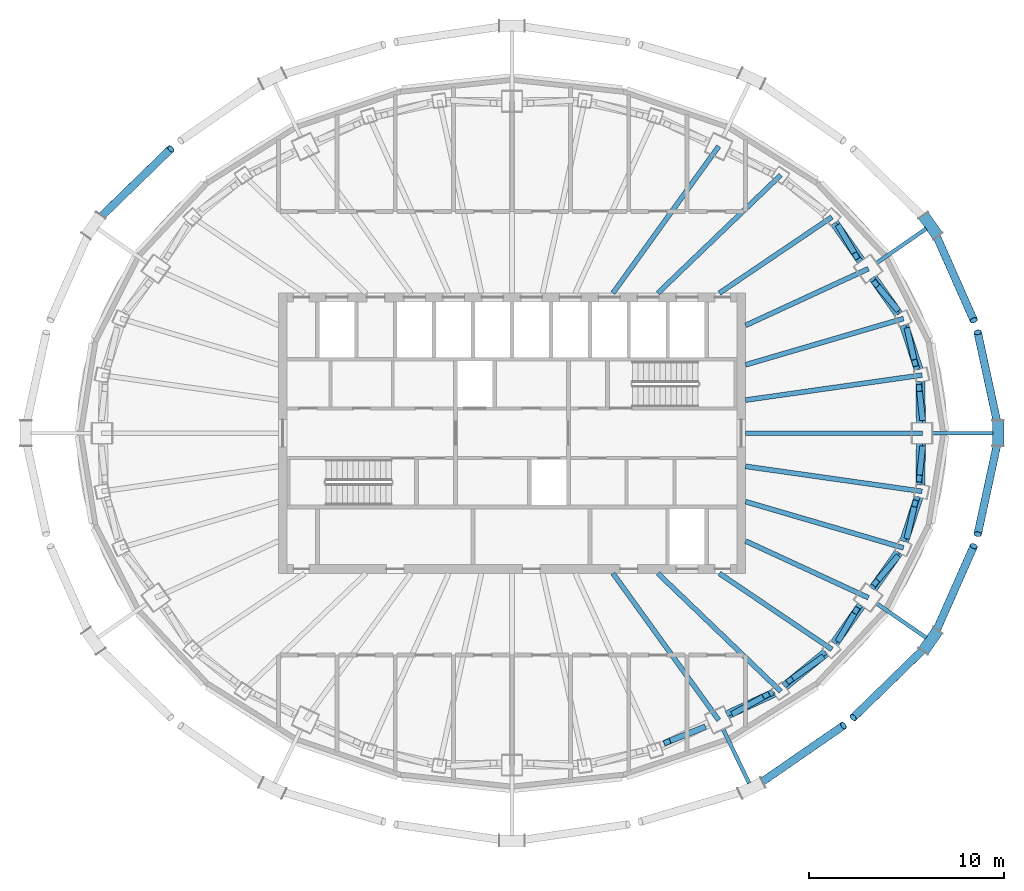
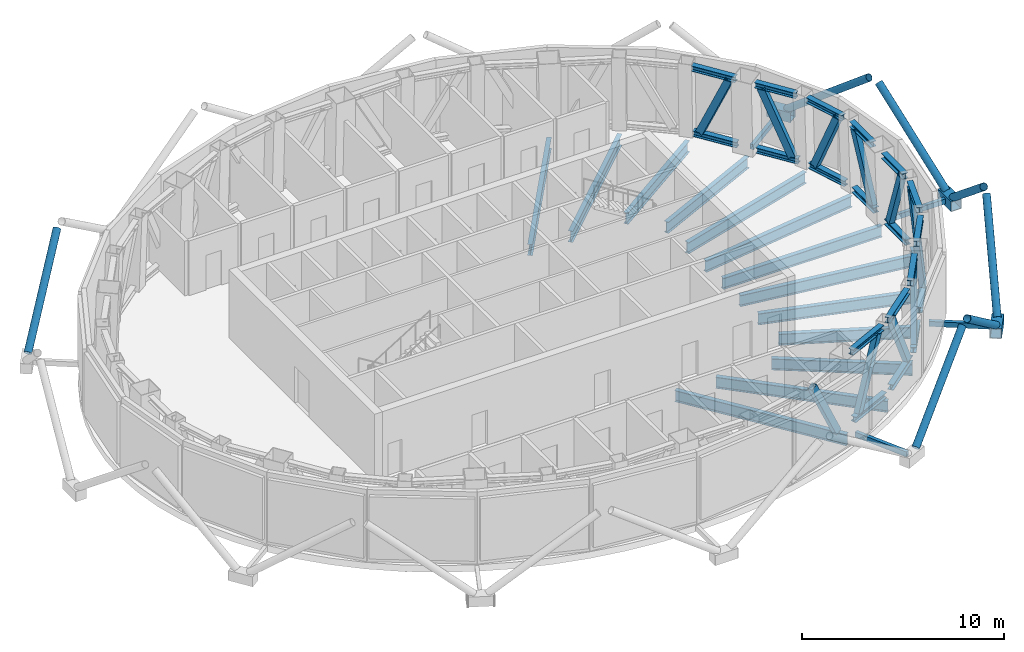
# One storey, part 3 of 15: 33 beams, 25 members.
"""IFC4 building model written with IfcOpenShell, lengths in metres."""

from ifc_helpers import new_model, si_unit, direction, frame, origin, origin_2d, place, context, subcontext, project, spatial, hollow_rectangle, hollow_circle, i_section, extrude, material, material_profile, profile_set, type_object, element, save


model = new_model("IFC4")

# Units and contexts
model_context = context("Model", 3, precision=1e-05, world=origin(), true_north=direction((0.0, 1.0)))
body_context = subcontext(model_context, "Body", "Model", "MODEL_VIEW")
ifc_project = project(units=[si_unit("LENGTHUNIT", "METRE"), si_unit("AREAUNIT", "SQUARE_METRE"), si_unit("VOLUMEUNIT", "CUBIC_METRE"), si_unit("PLANEANGLEUNIT", "RADIAN"), si_unit("MASSUNIT", "GRAM", prefix="KILO")], contexts=[model_context])

# Site, building, storey
site_placement = place(None, origin())
site = spatial("IfcSite", under=ifc_project, at=site_placement, CompositionType="ELEMENT")
building_placement = place(site_placement, origin())
building = spatial("IfcBuilding", under=site, at=building_placement, Name="Siaravel Broadcast Tower", CompositionType="ELEMENT")
storey_placement = place(building_placement, frame((0.0, 0.0, 212.60009765625)))
storey = spatial("IfcBuildingStorey", under=building, at=storey_placement, Name="L51", CompositionType="ELEMENT", Elevation=212.60009765625)

# Beams
ifc_material_1 = material(Name="Steel S355", Category="steel")
ifc_material_profile_1 = material_profile(ifc_material_1, i_section(OverallWidth=0.2529296875, OverallDepth=0.677978515625, WebThickness=0.01171875, FlangeThickness=0.01611328125, FilletRadius=0.01513671875, at=origin_2d()))
ifc_profile_set_1 = profile_set([ifc_material_profile_1], Name="Steel S355")
beam_type_1 = type_object("IfcBeamType", Name="BM-UB 686x254x125", PredefinedType="BEAM", material=ifc_profile_set_1)
beam_1_placement = place(storey_placement, frame((21.083984375, 0.0, -0.739013671875), z_axis=(-1.0, 0.0, 0.0), x_axis=(0.0, -1.0, 0.0)))
element("IfcBeam", 1, at=beam_1_placement, inside=storey, type_object=beam_type_1, Name="Radial beam RB01", PredefinedType="BEAM", context=body_context, shape_type="SweptSolid", body=[
    extrude(i_section(OverallWidth=0.2529296875, OverallDepth=0.677978515625, WebThickness=0.01171875, FlangeThickness=0.01611328125, FilletRadius=0.01513671875, at=origin_2d()), origin(), (0.0, 0.0, 1.0), 9.083984375),
])
beam_2_placement = place(storey_placement, frame((21.06494140625, 2.987060546875, -0.739013671875), z_axis=(-0.990095622, -0.140394653, 0.0), x_axis=(0.140394653, -0.990095622, 0.0)))
element("IfcBeam", 2, at=beam_2_placement, inside=storey, type_object=beam_type_1, Name="Radial beam RB02", PredefinedType="BEAM", context=body_context, shape_type="SweptSolid", body=[
    extrude(i_section(OverallWidth=0.2529296875, OverallDepth=0.677978515625, WebThickness=0.01171875, FlangeThickness=0.01611328125, FilletRadius=0.01513671875, at=origin_2d()), origin(), (0.0, 0.0, 1.0), 9.155517578125),
])
beam_3_placement = place(storey_placement, frame((20.114990234375, 5.89013671875, -0.739013671875), z_axis=(-0.959702278, -0.281018751, 0.0), x_axis=(0.281018751, -0.959702278, 0.0)))
element("IfcBeam", 3, at=beam_3_placement, inside=storey, type_object=beam_type_1, Name="Radial beam RB03", PredefinedType="BEAM", context=body_context, shape_type="SweptSolid", body=[
    extrude(i_section(OverallWidth=0.2529296875, OverallDepth=0.677978515625, WebThickness=0.01171875, FlangeThickness=0.01611328125, FilletRadius=0.01513671875, at=origin_2d()), origin(), (0.0, 0.0, 1.0), 8.455810546875),
])
beam_4_placement = place(storey_placement, frame((18.312744140625, 8.451904296875, -0.739013671875), z_axis=(-0.907959385, -0.419058177, 0.0), x_axis=(0.419058177, -0.907959385, 0.0)))
element("IfcBeam", 4, at=beam_4_placement, inside=storey, type_object=beam_type_1, Name="Radial beam RB04", PredefinedType="BEAM", context=body_context, shape_type="SweptSolid", body=[
    extrude(i_section(OverallWidth=0.2529296875, OverallDepth=0.677978515625, WebThickness=0.01171875, FlangeThickness=0.01611328125, FilletRadius=0.01513671875, at=origin_2d()), origin(), (0.0, 0.0, 1.0), 6.95263671875),
])
beam_5_placement = place(storey_placement, frame((16.43505859375, 11.10791015625, -0.739013671875), z_axis=(-0.828508257, -0.559976847, 0.0), x_axis=(0.559976847, -0.828508257, 0.0)))
element("IfcBeam", 5, at=beam_5_placement, inside=storey, type_object=beam_type_1, Name="Radial beam RB05", PredefinedType="BEAM", context=body_context, shape_type="SweptSolid", body=[
    extrude(i_section(OverallWidth=0.2529296875, OverallDepth=0.677978515625, WebThickness=0.01171875, FlangeThickness=0.01611328125, FilletRadius=0.01513671875, at=origin_2d()), origin(), (0.0, 0.0, 1.0), 6.978759765625),
])
beam_6_placement = place(storey_placement, frame((13.806396484375, 13.2607421875, -0.739013671875), z_axis=(-0.721208302, -0.692718258, 0.0), x_axis=(0.692718258, -0.721208302, 0.0)))
element("IfcBeam", 6, at=beam_6_placement, inside=storey, type_object=beam_type_1, Name="Radial beam RB06", PredefinedType="BEAM", context=body_context, shape_type="SweptSolid", body=[
    extrude(i_section(OverallWidth=0.2529296875, OverallDepth=0.677978515625, WebThickness=0.01171875, FlangeThickness=0.01611328125, FilletRadius=0.01513671875, at=origin_2d()), origin(), (0.0, 0.0, 1.0), 8.749267578125),
])
for number, where, z_axis, x_axis, name in (
    (7, (10.62158203125, 14.7421875, -0.739013671875), (-0.584564836, -0.811346999, 0.0), (0.811346999, -0.584564836, 0.0), "Radial beam RB07"),
    (8, (10.62158203125, -14.7421875, -0.739013671875), (-0.584564836, 0.811346999, 0.0), (-0.811346999, -0.584564836, 0.0), "Radial beam RB31"),
):
    element("IfcBeam", number, at=place(storey_placement, frame(where, z_axis=z_axis, x_axis=x_axis)), inside=storey, type_object=beam_type_1, Name=name, PredefinedType="BEAM", context=body_context, shape_type="SweptSolid", body=[
        extrude(i_section(OverallWidth=0.2529296875, OverallDepth=0.677978515625, WebThickness=0.01171875, FlangeThickness=0.01611328125, FilletRadius=0.01513671875, at=origin_2d()), origin(), (0.0, 0.0, 1.0), 9.2958984375),
    ])
beam_7_placement = place(storey_placement, frame((13.806396484375, -13.2607421875, -0.739013671875), z_axis=(-0.721208302, 0.692718258, 0.0), x_axis=(-0.692718258, -0.721208302, 0.0)))
element("IfcBeam", 9, at=beam_7_placement, inside=storey, type_object=beam_type_1, Name="Radial beam RB32", PredefinedType="BEAM", context=body_context, shape_type="SweptSolid", body=[
    extrude(i_section(OverallWidth=0.2529296875, OverallDepth=0.677978515625, WebThickness=0.01171875, FlangeThickness=0.01611328125, FilletRadius=0.01513671875, at=origin_2d()), origin(), (0.0, 0.0, 1.0), 8.749267578125),
])
beam_8_placement = place(storey_placement, frame((16.43505859375, -11.10791015625, -0.739013671875), z_axis=(-0.828508257, 0.559976847, 0.0), x_axis=(-0.559976847, -0.828508257, 0.0)))
element("IfcBeam", 10, at=beam_8_placement, inside=storey, type_object=beam_type_1, Name="Radial beam RB33", PredefinedType="BEAM", context=body_context, shape_type="SweptSolid", body=[
    extrude(i_section(OverallWidth=0.2529296875, OverallDepth=0.677978515625, WebThickness=0.01171875, FlangeThickness=0.01611328125, FilletRadius=0.01513671875, at=origin_2d()), origin(), (0.0, 0.0, 1.0), 6.978759765625),
])
beam_9_placement = place(storey_placement, frame((18.312744140625, -8.451904296875, -0.739013671875), z_axis=(-0.907959385, 0.419058177, 0.0), x_axis=(-0.419058177, -0.907959385, 0.0)))
element("IfcBeam", 11, at=beam_9_placement, inside=storey, type_object=beam_type_1, Name="Radial beam RB34", PredefinedType="BEAM", context=body_context, shape_type="SweptSolid", body=[
    extrude(i_section(OverallWidth=0.2529296875, OverallDepth=0.677978515625, WebThickness=0.01171875, FlangeThickness=0.01611328125, FilletRadius=0.01513671875, at=origin_2d()), origin(), (0.0, 0.0, 1.0), 6.95263671875),
])
beam_10_placement = place(storey_placement, frame((20.114990234375, -5.89013671875, -0.739013671875), z_axis=(-0.959702278, 0.281018751, 0.0), x_axis=(-0.281018751, -0.959702278, 0.0)))
element("IfcBeam", 12, at=beam_10_placement, inside=storey, type_object=beam_type_1, Name="Radial beam RB35", PredefinedType="BEAM", context=body_context, shape_type="SweptSolid", body=[
    extrude(i_section(OverallWidth=0.2529296875, OverallDepth=0.677978515625, WebThickness=0.01171875, FlangeThickness=0.01611328125, FilletRadius=0.01513671875, at=origin_2d()), origin(), (0.0, 0.0, 1.0), 8.455810546875),
])
beam_11_placement = place(storey_placement, frame((21.06494140625, -2.987060546875, -0.739013671875), z_axis=(-0.990095622, 0.140394653, 0.0), x_axis=(-0.140394653, -0.990095622, 0.0)))
element("IfcBeam", 13, at=beam_11_placement, inside=storey, type_object=beam_type_1, Name="Radial beam RB36", PredefinedType="BEAM", context=body_context, shape_type="SweptSolid", body=[
    extrude(i_section(OverallWidth=0.2529296875, OverallDepth=0.677978515625, WebThickness=0.01171875, FlangeThickness=0.01611328125, FilletRadius=0.01513671875, at=origin_2d()), origin(), (0.0, 0.0, 1.0), 9.155517578125),
])
ifc_material_2 = material(Name="Steel S460", Category="steel")
ifc_material_profile_2 = material_profile(ifc_material_2, i_section(OverallWidth=0.311279296875, OverallDepth=0.3271484375, WebThickness=0.015869140625, FlangeThickness=0.02490234375, FilletRadius=0.01513671875, at=origin_2d()))
ifc_profile_set_2 = profile_set([ifc_material_profile_2], Name="Steel S460")
beam_type_2 = type_object("IfcBeamType", Name="Belt truss chord UC 305x305x158", PredefinedType="BEAM", material=ifc_profile_set_2)
beam_12_placement = place(storey_placement, frame((21.080810546875, 0.52001953125, 0.163330078125), z_axis=(-0.006481556, 0.999978994, 0.0), x_axis=(-0.999978994, -0.006481556, 0.0)))
element("IfcBeam", 14, at=beam_12_placement, inside=storey, type_object=beam_type_2, Name="Belt truss 3 bottom chord 01", PredefinedType="BEAM", context=body_context, shape_type="SweptSolid", body=[
    extrude(i_section(OverallWidth=0.311279296875, OverallDepth=0.3271484375, WebThickness=0.015869140625, FlangeThickness=0.02490234375, FilletRadius=0.01513671875, at=origin_2d()), origin(), (0.0, 0.0, 1.0), 2.14697265625),
])
beam_13_placement = place(storey_placement, frame((20.92529296875, 0.52001953125, 4.1865234375), z_axis=(-0.005629506, 0.999984154, 0.0), x_axis=(-0.999984154, -0.005629506, 0.0)))
element("IfcBeam", 15, at=beam_13_placement, inside=storey, type_object=beam_type_2, Name="Belt truss 3 top chord 01", PredefinedType="BEAM", context=body_context, shape_type="SweptSolid", body=[
    extrude(i_section(OverallWidth=0.311279296875, OverallDepth=0.3271484375, WebThickness=0.015869140625, FlangeThickness=0.02490234375, FilletRadius=0.01513671875, at=origin_2d()), origin(), (0.0, 0.0, 1.0), 2.125),
])
beam_14_placement = place(storey_placement, frame((20.96533203125, 3.291015625, 0.163330078125), z_axis=(-0.310914519, 0.950437879, 0.0), x_axis=(-0.950437879, -0.310914519, 0.0)))
element("IfcBeam", 16, at=beam_14_placement, inside=storey, type_object=beam_type_2, Name="Belt truss 3 bottom chord 02", PredefinedType="BEAM", context=body_context, shape_type="SweptSolid", body=[
    extrude(i_section(OverallWidth=0.311279296875, OverallDepth=0.3271484375, WebThickness=0.015869140625, FlangeThickness=0.02490234375, FilletRadius=0.01513671875, at=origin_2d()), origin(), (0.0, 0.0, 1.0), 2.41455078125),
])
beam_15_placement = place(storey_placement, frame((20.81201171875, 3.26904296875, 4.1865234375), z_axis=(-0.311017268, 0.950404261, 0.0), x_axis=(-0.950404261, -0.311017268, 0.0)))
element("IfcBeam", 17, at=beam_15_placement, inside=storey, type_object=beam_type_2, Name="Belt truss 3 top chord 02", PredefinedType="BEAM", context=body_context, shape_type="SweptSolid", body=[
    extrude(i_section(OverallWidth=0.311279296875, OverallDepth=0.3271484375, WebThickness=0.015869140625, FlangeThickness=0.02490234375, FilletRadius=0.01513671875, at=origin_2d()), origin(), (0.0, 0.0, 1.0), 2.391845703125),
])
beam_16_placement = place(storey_placement, frame((19.930908203125, 6.15185546875, 0.163330078125), z_axis=(-0.575369398, 0.81789367, 0.0), x_axis=(-0.81789367, -0.575369398, 0.0)))
element("IfcBeam", 18, at=beam_16_placement, inside=storey, type_object=beam_type_2, Name="Belt truss 3 bottom chord 03", PredefinedType="BEAM", context=body_context, shape_type="SweptSolid", body=[
    extrude(i_section(OverallWidth=0.311279296875, OverallDepth=0.3271484375, WebThickness=0.015869140625, FlangeThickness=0.02490234375, FilletRadius=0.01513671875, at=origin_2d()), origin(), (0.0, 0.0, 1.0), 2.292236328125),
])
beam_17_placement = place(storey_placement, frame((19.784423828125, 6.10791015625, 4.1865234375), z_axis=(-0.576015624, 0.817438683, 0.0), x_axis=(-0.817438683, -0.576015624, 0.0)))
element("IfcBeam", 19, at=beam_17_placement, inside=storey, type_object=beam_type_2, Name="Belt truss 3 top chord 03", PredefinedType="BEAM", context=body_context, shape_type="SweptSolid", body=[
    extrude(i_section(OverallWidth=0.311279296875, OverallDepth=0.3271484375, WebThickness=0.015869140625, FlangeThickness=0.02490234375, FilletRadius=0.01513671875, at=origin_2d()), origin(), (0.0, 0.0, 1.0), 2.269287109375),
])
beam_18_placement = place(storey_placement, frame((18.0126953125, 8.87646484375, 0.163330078125), z_axis=(-0.577306781, 0.81652733, 0.0), x_axis=(-0.81652733, -0.577306781, 0.0)))
element("IfcBeam", 20, at=beam_18_placement, inside=storey, type_object=beam_type_2, Name="Belt truss 3 bottom chord 04", PredefinedType="BEAM", context=body_context, shape_type="SweptSolid", body=[
    extrude(i_section(OverallWidth=0.311279296875, OverallDepth=0.3271484375, WebThickness=0.015869140625, FlangeThickness=0.02490234375, FilletRadius=0.01513671875, at=origin_2d()), origin(), (0.0, 0.0, 1.0), 2.41259765625),
])
beam_19_placement = place(storey_placement, frame((17.8779296875, 8.81298828125, 4.1865234375), z_axis=(-0.576675172, 0.816973529, 0.0), x_axis=(-0.816973529, -0.576675172, 0.0)))
element("IfcBeam", 21, at=beam_19_placement, inside=storey, type_object=beam_type_2, Name="Belt truss 3 top chord 04", PredefinedType="BEAM", context=body_context, shape_type="SweptSolid", body=[
    extrude(i_section(OverallWidth=0.311279296875, OverallDepth=0.3271484375, WebThickness=0.015869140625, FlangeThickness=0.02490234375, FilletRadius=0.01513671875, at=origin_2d()), origin(), (0.0, 0.0, 1.0), 2.388671875),
])
beam_20_placement = place(storey_placement, frame((11.09326171875, -14.52294921875, 0.163330078125), z_axis=(0.906695926, 0.421784896, 0.0), x_axis=(-0.421784896, 0.906695926, 0.0)))
element("IfcBeam", 22, at=beam_20_placement, inside=storey, type_object=beam_type_2, Name="Belt truss 3 bottom chord 31", PredefinedType="BEAM", context=body_context, shape_type="SweptSolid", body=[
    extrude(i_section(OverallWidth=0.311279296875, OverallDepth=0.3271484375, WebThickness=0.015869140625, FlangeThickness=0.02490234375, FilletRadius=0.01513671875, at=origin_2d()), origin(), (0.0, 0.0, 1.0), 2.67236328125),
])
beam_21_placement = place(storey_placement, frame((11.015380859375, -14.41259765625, 4.1865234375), z_axis=(0.906966188, 0.421203435, 0.0), x_axis=(-0.421203435, 0.906966188, 0.0)))
element("IfcBeam", 23, at=beam_21_placement, inside=storey, type_object=beam_type_2, Name="Belt truss 3 top chord 31", PredefinedType="BEAM", context=body_context, shape_type="SweptSolid", body=[
    extrude(i_section(OverallWidth=0.311279296875, OverallDepth=0.3271484375, WebThickness=0.015869140625, FlangeThickness=0.02490234375, FilletRadius=0.01513671875, at=origin_2d()), origin(), (0.0, 0.0, 1.0), 2.647216796875),
])
beam_22_placement = place(storey_placement, frame((14.05419921875, -13.057861328125, 0.163330078125), z_axis=(0.773621896, 0.633647506, 0.0), x_axis=(-0.633647506, 0.773621896, 0.0)))
element("IfcBeam", 24, at=beam_22_placement, inside=storey, type_object=beam_type_2, Name="Belt truss 3 bottom chord 32", PredefinedType="BEAM", context=body_context, shape_type="SweptSolid", body=[
    extrude(i_section(OverallWidth=0.311279296875, OverallDepth=0.3271484375, WebThickness=0.015869140625, FlangeThickness=0.02490234375, FilletRadius=0.01513671875, at=origin_2d()), origin(), (0.0, 0.0, 1.0), 2.757568359375),
])
beam_23_placement = place(storey_placement, frame((13.9541015625, -12.960205078125, 4.1865234375), z_axis=(0.773590966, 0.633685267, 0.0), x_axis=(-0.633685267, 0.773590966, 0.0)))
element("IfcBeam", 25, at=beam_23_placement, inside=storey, type_object=beam_type_2, Name="Belt truss 3 top chord 32", PredefinedType="BEAM", context=body_context, shape_type="SweptSolid", body=[
    extrude(i_section(OverallWidth=0.311279296875, OverallDepth=0.3271484375, WebThickness=0.015869140625, FlangeThickness=0.02490234375, FilletRadius=0.01513671875, at=origin_2d()), origin(), (0.0, 0.0, 1.0), 2.732666015625),
])
beam_24_placement = place(storey_placement, frame((16.619873046875, -10.846435546875, 0.163330078125), z_axis=(0.577306781, 0.81652733, 0.0), x_axis=(-0.81652733, 0.577306781, 0.0)))
element("IfcBeam", 26, at=beam_24_placement, inside=storey, type_object=beam_type_2, Name="Belt truss 3 bottom chord 33", PredefinedType="BEAM", context=body_context, shape_type="SweptSolid", body=[
    extrude(i_section(OverallWidth=0.311279296875, OverallDepth=0.3271484375, WebThickness=0.015869140625, FlangeThickness=0.02490234375, FilletRadius=0.01513671875, at=origin_2d()), origin(), (0.0, 0.0, 1.0), 2.41259765625),
])
beam_25_placement = place(storey_placement, frame((16.50048828125, -10.764404296875, 4.1865234375), z_axis=(0.576675172, 0.816973529, 0.0), x_axis=(-0.816973529, 0.576675172, 0.0)))
element("IfcBeam", 27, at=beam_25_placement, inside=storey, type_object=beam_type_2, Name="Belt truss 3 top chord 33", PredefinedType="BEAM", context=body_context, shape_type="SweptSolid", body=[
    extrude(i_section(OverallWidth=0.311279296875, OverallDepth=0.3271484375, WebThickness=0.015869140625, FlangeThickness=0.02490234375, FilletRadius=0.01513671875, at=origin_2d()), origin(), (0.0, 0.0, 1.0), 2.388671875),
])
beam_26_placement = place(storey_placement, frame((18.612060546875, -8.026611328125, 0.163330078125), z_axis=(0.575369398, 0.81789367, 0.0), x_axis=(-0.81789367, 0.575369398, 0.0)))
element("IfcBeam", 28, at=beam_26_placement, inside=storey, type_object=beam_type_2, Name="Belt truss 3 bottom chord 34", PredefinedType="BEAM", context=body_context, shape_type="SweptSolid", body=[
    extrude(i_section(OverallWidth=0.311279296875, OverallDepth=0.3271484375, WebThickness=0.015869140625, FlangeThickness=0.02490234375, FilletRadius=0.01513671875, at=origin_2d()), origin(), (0.0, 0.0, 1.0), 2.292236328125),
])
beam_27_placement = place(storey_placement, frame((18.477294921875, -7.962890625, 4.1865234375), z_axis=(0.576015624, 0.817438683, 0.0), x_axis=(-0.817438683, 0.576015624, 0.0)))
element("IfcBeam", 29, at=beam_27_placement, inside=storey, type_object=beam_type_2, Name="Belt truss 3 top chord 34", PredefinedType="BEAM", context=body_context, shape_type="SweptSolid", body=[
    extrude(i_section(OverallWidth=0.311279296875, OverallDepth=0.3271484375, WebThickness=0.015869140625, FlangeThickness=0.02490234375, FilletRadius=0.01513671875, at=origin_2d()), origin(), (0.0, 0.0, 1.0), 2.269287109375),
])
beam_28_placement = place(storey_placement, frame((20.214599609375, -5.5859375, 0.163330078125), z_axis=(0.310914519, 0.950437879, 0.0), x_axis=(-0.950437879, 0.310914519, 0.0)))
element("IfcBeam", 30, at=beam_28_placement, inside=storey, type_object=beam_type_2, Name="Belt truss 3 bottom chord 35", PredefinedType="BEAM", context=body_context, shape_type="SweptSolid", body=[
    extrude(i_section(OverallWidth=0.311279296875, OverallDepth=0.3271484375, WebThickness=0.015869140625, FlangeThickness=0.02490234375, FilletRadius=0.01513671875, at=origin_2d()), origin(), (0.0, 0.0, 1.0), 2.41455078125),
])
beam_29_placement = place(storey_placement, frame((20.068115234375, -5.542236328125, 4.1865234375), z_axis=(0.311017268, 0.950404261, 0.0), x_axis=(-0.950404261, 0.311017268, 0.0)))
element("IfcBeam", 31, at=beam_29_placement, inside=storey, type_object=beam_type_2, Name="Belt truss 3 top chord 35", PredefinedType="BEAM", context=body_context, shape_type="SweptSolid", body=[
    extrude(i_section(OverallWidth=0.311279296875, OverallDepth=0.3271484375, WebThickness=0.015869140625, FlangeThickness=0.02490234375, FilletRadius=0.01513671875, at=origin_2d()), origin(), (0.0, 0.0, 1.0), 2.391845703125),
])
beam_30_placement = place(storey_placement, frame((21.06689453125, -2.6669921875, 0.163330078125), z_axis=(0.006481556, 0.999978994, 0.0), x_axis=(-0.999978994, 0.006481556, 0.0)))
element("IfcBeam", 32, at=beam_30_placement, inside=storey, type_object=beam_type_2, Name="Belt truss 3 bottom chord 36", PredefinedType="BEAM", context=body_context, shape_type="SweptSolid", body=[
    extrude(i_section(OverallWidth=0.311279296875, OverallDepth=0.3271484375, WebThickness=0.015869140625, FlangeThickness=0.02490234375, FilletRadius=0.01513671875, at=origin_2d()), origin(), (0.0, 0.0, 1.0), 2.14697265625),
])
beam_31_placement = place(storey_placement, frame((20.913330078125, -2.64501953125, 4.1865234375), z_axis=(0.005629506, 0.999984154, 0.0), x_axis=(-0.999984154, 0.005629506, 0.0)))
element("IfcBeam", 33, at=beam_31_placement, inside=storey, type_object=beam_type_2, Name="Belt truss 3 top chord 36", PredefinedType="BEAM", context=body_context, shape_type="SweptSolid", body=[
    extrude(i_section(OverallWidth=0.311279296875, OverallDepth=0.3271484375, WebThickness=0.015869140625, FlangeThickness=0.02490234375, FilletRadius=0.01513671875, at=origin_2d()), origin(), (0.0, 0.0, 1.0), 2.125),
])

# Members
ifc_material_profile_3 = material_profile(ifc_material_2, hollow_rectangle(XDim=0.300048828125, YDim=0.39990234375, WallThickness=0.01611328125, at=origin_2d()))
ifc_profile_set_3 = profile_set([ifc_material_profile_3], Name="Steel S460")
member_type_1 = type_object("IfcMemberType", Name="Belt truss web RHS 400x300x16", PredefinedType="BRACE", material=ifc_profile_set_3)
member_1_placement = place(storey_placement, frame((21.07861328125, 0.842041015625, 0.297119140625), z_axis=(-0.040473239, 0.367219131, 0.929253478), x_axis=(-0.993981053, -0.109552115, 0.0)))
element("IfcMember", 34, at=member_1_placement, inside=storey, type_object=member_type_1, Name="Belt truss 3 web 01", PredefinedType="BRACE", context=body_context, shape_type="SweptSolid", body=[
    extrude(hollow_rectangle(XDim=0.300048828125, YDim=0.39990234375, WallThickness=0.01611328125, at=origin_2d()), origin(), (0.0, 0.0, 1.0), 4.04150390625),
])
member_2_placement = place(storey_placement, frame((20.3271484375, 5.24169921875, 0.297119140625), z_axis=(0.090787494, -0.396816758, 0.913397006), x_axis=(0.974812316, 0.223026789, 0.0)))
element("IfcMember", 35, at=member_2_placement, inside=storey, type_object=member_type_1, Name="Belt truss 3 web 02", PredefinedType="BRACE", context=body_context, shape_type="SweptSolid", body=[
    extrude(hollow_rectangle(XDim=0.300048828125, YDim=0.39990234375, WallThickness=0.01611328125, at=origin_2d()), origin(), (0.0, 0.0, 1.0), 4.11181640625),
])
member_3_placement = place(storey_placement, frame((19.733154296875, 6.43310546875, 0.297119140625), z_axis=(-0.258554011, 0.305439266, 0.916436947), x_axis=(-0.763256394, -0.646095718, 0.0)))
element("IfcMember", 36, at=member_3_placement, inside=storey, type_object=member_type_1, Name="Belt truss 3 web 03", PredefinedType="BRACE", context=body_context, shape_type="SweptSolid", body=[
    extrude(hollow_rectangle(XDim=0.300048828125, YDim=0.39990234375, WallThickness=0.01611328125, at=origin_2d()), origin(), (0.0, 0.0, 1.0), 4.09814453125),
])
member_4_placement = place(storey_placement, frame((16.82861328125, 10.551025390625, 0.297119140625), z_axis=(0.204983139, -0.351535394, 0.913457596), x_axis=(0.863863569, 0.503725852, 0.0)))
element("IfcMember", 37, at=member_4_placement, inside=storey, type_object=member_type_1, Name="Belt truss 3 web 04", PredefinedType="BRACE", context=body_context, shape_type="SweptSolid", body=[
    extrude(hollow_rectangle(XDim=0.300048828125, YDim=0.39990234375, WallThickness=0.01611328125, at=origin_2d()), origin(), (0.0, 0.0, 1.0), 4.111328125),
])
member_5_placement = place(storey_placement, frame((9.777099609375, -15.147705078125, 0.297119140625), z_axis=(-0.427915595, -0.170947001, 0.887505136), x_axis=(0.370980488, -0.928640661, 0.0)))
element("IfcMember", 38, at=member_5_placement, inside=storey, type_object=member_type_1, Name="Belt truss 3 web 30", PredefinedType="BRACE", context=body_context, shape_type="SweptSolid", body=[
    extrude(hollow_rectangle(XDim=0.300048828125, YDim=0.39990234375, WallThickness=0.01611328125, at=origin_2d()), origin(), (0.0, 0.0, 1.0), 4.231689453125),
])
member_6_placement = place(storey_placement, frame((11.456787109375, -14.35400390625, 0.297119140625), z_axis=(0.382838197, 0.212778793, 0.898977252), x_axis=(-0.485801523, 0.874069151, 0.0)))
element("IfcMember", 39, at=member_6_placement, inside=storey, type_object=member_type_1, Name="Belt truss 3 web 31", PredefinedType="BRACE", context=body_context, shape_type="SweptSolid", body=[
    extrude(hollow_rectangle(XDim=0.300048828125, YDim=0.39990234375, WallThickness=0.01611328125, at=origin_2d()), origin(), (0.0, 0.0, 1.0), 4.177734375),
])
member_7_placement = place(storey_placement, frame((15.867431640625, -11.57275390625, 0.297119140625), z_axis=(-0.377070618, -0.266354058, 0.887058772), x_axis=(0.576952888, -0.816777427, 0.0)))
element("IfcMember", 40, at=member_7_placement, inside=storey, type_object=member_type_1, Name="Belt truss 3 web 32", PredefinedType="BRACE", context=body_context, shape_type="SweptSolid", body=[
    extrude(hollow_rectangle(XDim=0.300048828125, YDim=0.39990234375, WallThickness=0.01611328125, at=origin_2d()), origin(), (0.0, 0.0, 1.0), 4.23388671875),
])
member_8_placement = place(storey_placement, frame((16.82861328125, -10.551025390625, 0.297119140625), z_axis=(0.204983139, 0.351535394, 0.913457596), x_axis=(-0.863863569, 0.503725852, 0.0)))
element("IfcMember", 41, at=member_8_placement, inside=storey, type_object=member_type_1, Name="Belt truss 3 web 33", PredefinedType="BRACE", context=body_context, shape_type="SweptSolid", body=[
    extrude(hollow_rectangle(XDim=0.300048828125, YDim=0.39990234375, WallThickness=0.01611328125, at=origin_2d()), origin(), (0.0, 0.0, 1.0), 4.111328125),
])
member_9_placement = place(storey_placement, frame((19.733154296875, -6.43310546875, 0.297119140625), z_axis=(-0.258554011, -0.305439266, 0.916436947), x_axis=(0.763256394, -0.646095718, 0.0)))
element("IfcMember", 42, at=member_9_placement, inside=storey, type_object=member_type_1, Name="Belt truss 3 web 34", PredefinedType="BRACE", context=body_context, shape_type="SweptSolid", body=[
    extrude(hollow_rectangle(XDim=0.300048828125, YDim=0.39990234375, WallThickness=0.01611328125, at=origin_2d()), origin(), (0.0, 0.0, 1.0), 4.09814453125),
])
member_10_placement = place(storey_placement, frame((20.3271484375, -5.24169921875, 0.297119140625), z_axis=(0.090787494, 0.396816758, 0.913397006), x_axis=(-0.974812316, 0.223026789, 0.0)))
element("IfcMember", 43, at=member_10_placement, inside=storey, type_object=member_type_1, Name="Belt truss 3 web 35", PredefinedType="BRACE", context=body_context, shape_type="SweptSolid", body=[
    extrude(hollow_rectangle(XDim=0.300048828125, YDim=0.39990234375, WallThickness=0.01611328125, at=origin_2d()), origin(), (0.0, 0.0, 1.0), 4.11181640625),
])
member_11_placement = place(storey_placement, frame((21.07861328125, -0.842041015625, 0.297119140625), z_axis=(-0.040473239, -0.367219131, 0.929253478), x_axis=(0.993981053, -0.109552115, 0.0)))
element("IfcMember", 44, at=member_11_placement, inside=storey, type_object=member_type_1, Name="Belt truss 3 web 36", PredefinedType="BRACE", context=body_context, shape_type="SweptSolid", body=[
    extrude(hollow_rectangle(XDim=0.300048828125, YDim=0.39990234375, WallThickness=0.01611328125, at=origin_2d()), origin(), (0.0, 0.0, 1.0), 4.04150390625),
])
ifc_material_profile_4 = material_profile(ifc_material_2, hollow_circle(Radius=0.203125, WallThickness=0.01611328125, at=origin_2d()))
ifc_profile_set_4 = profile_set([ifc_material_profile_4], Name="Steel S460")
member_type_2 = type_object("IfcMemberType", Name="Diagrid diagonal CHS 406.4x16", PredefinedType="BRACE", material=ifc_profile_set_4)
for number, where, z_axis, x_axis, name in (
    (45, (24.97607421875, -0.323486328125, 0.06982421875), (-0.165303173, -0.764824689, 0.622670102), (0.977431143, -0.211254254, 0.0), "Diagrid diagonal R21 station 00C"),
    (46, (24.97607421875, 0.323486328125, 0.06982421875), (-0.165303173, 0.764824689, 0.622670102), (-0.977431143, -0.211254254, 0.0), "Diagrid diagonal R21 station 00A"),
):
    element("IfcMember", number, at=place(storey_placement, frame(where, z_axis=z_axis, x_axis=x_axis)), inside=storey, type_object=member_type_2, Name=name, PredefinedType="BRACE", context=body_context, shape_type="SweptSolid", body=[
        extrude(hollow_circle(Radius=0.203125, WallThickness=0.01611328125, at=origin_2d()), origin(), (0.0, 0.0, 1.0), 6.359619140625),
    ])
member_12_placement = place(storey_placement, frame((21.689697265625, 10.397705078125, 0.06982421875), z_axis=(0.317868325, -0.718237409, 0.618946486), x_axis=(0.914447525, 0.404704489, 0.0)))
element("IfcMember", 47, at=member_12_placement, inside=storey, type_object=member_type_2, Name="Diagrid diagonal R21 station 06C", PredefinedType="BRACE", context=body_context, shape_type="SweptSolid", body=[
    extrude(hollow_circle(Radius=0.203125, WallThickness=0.01611328125, at=origin_2d()), origin(), (0.0, 0.0, 1.0), 6.39794921875),
])
member_13_placement = place(storey_placement, frame((-21.31689453125, 10.926513671875, 0.06982421875), z_axis=(0.573641114, 0.557889463, 0.599745963), x_axis=(-0.697195839, 0.716880717, 0.0)))
element("IfcMember", 48, at=member_13_placement, inside=storey, type_object=member_type_2, Name="Diagrid diagonal R21 station 30C", PredefinedType="BRACE", context=body_context, shape_type="SweptSolid", body=[
    extrude(hollow_circle(Radius=0.203125, WallThickness=0.01611328125, at=origin_2d()), origin(), (0.0, 0.0, 1.0), 6.602783203125),
])
member_14_placement = place(storey_placement, frame((12.592041015625, -18.085205078125, 0.06982421875), z_axis=(0.663164598, 0.458117447, 0.591896208), x_axis=(-0.568373921, 0.822770373, 0.0)))
element("IfcMember", 49, at=member_14_placement, inside=storey, type_object=member_type_2, Name="Diagrid diagonal R21 station 60A", PredefinedType="BRACE", context=body_context, shape_type="SweptSolid", body=[
    extrude(hollow_circle(Radius=0.203125, WallThickness=0.01611328125, at=origin_2d()), origin(), (0.0, 0.0, 1.0), 6.690185546875),
])
member_15_placement = place(storey_placement, frame((21.31689453125, -10.926513671875, 0.06982421875), z_axis=(-0.573641114, -0.557889463, 0.599745963), x_axis=(0.697195839, -0.716880717, 0.0)))
element("IfcMember", 50, at=member_15_placement, inside=storey, type_object=member_type_2, Name="Diagrid diagonal R21 station 66C", PredefinedType="BRACE", context=body_context, shape_type="SweptSolid", body=[
    extrude(hollow_circle(Radius=0.203125, WallThickness=0.01611328125, at=origin_2d()), origin(), (0.0, 0.0, 1.0), 6.602783203125),
])
member_16_placement = place(storey_placement, frame((21.689697265625, -10.397705078125, 0.06982421875), z_axis=(0.317868325, 0.718237409, 0.618946486), x_axis=(-0.914447525, 0.404704489, 0.0)))
element("IfcMember", 51, at=member_16_placement, inside=storey, type_object=member_type_2, Name="Diagrid diagonal R21 station 66A", PredefinedType="BRACE", context=body_context, shape_type="SweptSolid", body=[
    extrude(hollow_circle(Radius=0.203125, WallThickness=0.01611328125, at=origin_2d()), origin(), (0.0, 0.0, 1.0), 6.39794921875),
])
ifc_material_profile_5 = material_profile(ifc_material_2, hollow_rectangle(XDim=0.60009765625, YDim=0.60009765625, WallThickness=0.031982421875, at=origin_2d()))
ifc_profile_set_5 = profile_set([ifc_material_profile_5], Name="Steel S460")
member_type_3 = type_object("IfcMemberType", Name="Diagrid node BOX 600x600x32", PredefinedType="USERDEFINED", material=ifc_profile_set_5)
for number, where, z_axis, x_axis, name in (
    (52, (24.97607421875, -0.646728515625, -0.2001953125), (0.0, 1.0, 0.0), (-1.0, 0.0, 0.0), "Diagrid node R21 station 00"),
    (53, (21.8759765625, 10.133544921875, -0.2001953125), (-0.576030928, 0.817427899, 0.0), (-0.817427899, -0.576030928, 0.0), "Diagrid node R21 station 06"),
    (54, (21.130859375, -11.19091796875, -0.2001953125), (0.576030928, 0.817427899, 0.0), (-0.817427899, 0.576030928, 0.0), "Diagrid node R21 station 66"),
):
    element("IfcMember", number, at=place(storey_placement, frame(where, z_axis=z_axis, x_axis=x_axis)), inside=storey, type_object=member_type_3, Name=name, ObjectType="DIAGRID NODE", PredefinedType="USERDEFINED", context=body_context, shape_type="SweptSolid", body=[
        extrude(hollow_rectangle(XDim=0.60009765625, YDim=0.60009765625, WallThickness=0.031982421875, at=origin_2d()), origin(), (0.0, 0.0, 1.0), 1.29345703125),
    ])
ifc_material_profile_6 = material_profile(ifc_material_2, hollow_rectangle(XDim=0.199951171875, YDim=0.300048828125, WallThickness=0.012451171875, at=origin_2d()))
ifc_profile_set_6 = profile_set([ifc_material_profile_6], Name="Steel S460")
member_type_4 = type_object("IfcMemberType", Name="Diagrid node arm RHS 300x200x12.5", PredefinedType="STRUT", material=ifc_profile_set_6)
member_17_placement = place(storey_placement, frame((21.60400390625, 0.0, -0.2001953125), z_axis=(1.0, 0.0, 0.0), x_axis=(0.0, 1.0, 0.0)))
element("IfcMember", 55, at=member_17_placement, inside=storey, type_object=member_type_4, Name="Node arm R21 station 00", PredefinedType="STRUT", context=body_context, shape_type="SweptSolid", body=[
    extrude(hollow_rectangle(XDim=0.199951171875, YDim=0.300048828125, WallThickness=0.012451171875, at=origin_2d()), origin(), (0.0, 0.0, 1.0), 3.10205078125),
])
member_18_placement = place(storey_placement, frame((18.740234375, 8.748046875, -0.2001953125), z_axis=(0.822052855, 0.569411191, 0.0), x_axis=(-0.569411191, 0.822052855, 0.0)))
element("IfcMember", 56, at=member_18_placement, inside=storey, type_object=member_type_4, Name="Node arm R21 station 06", PredefinedType="STRUT", context=body_context, shape_type="SweptSolid", body=[
    extrude(hollow_rectangle(XDim=0.199951171875, YDim=0.300048828125, WallThickness=0.012451171875, at=origin_2d()), origin(), (0.0, 0.0, 1.0), 3.09130859375),
])
member_19_placement = place(storey_placement, frame((10.847412109375, -15.210693359375, -0.2001953125), z_axis=(0.434207139, -0.900813055, 0.0), x_axis=(0.900813055, 0.434207139, 0.0)))
element("IfcMember", 57, at=member_19_placement, inside=storey, type_object=member_type_4, Name="Node arm R21 station 60", PredefinedType="STRUT", context=body_context, shape_type="SweptSolid", body=[
    extrude(hollow_rectangle(XDim=0.199951171875, YDim=0.300048828125, WallThickness=0.012451171875, at=origin_2d()), origin(), (0.0, 0.0, 1.0), 3.074462890625),
])
member_20_placement = place(storey_placement, frame((18.740234375, -8.748046875, -0.2001953125), z_axis=(0.822052855, -0.569411191, 0.0), x_axis=(0.569411191, 0.822052855, 0.0)))
element("IfcMember", 58, at=member_20_placement, inside=storey, type_object=member_type_4, Name="Node arm R21 station 66", PredefinedType="STRUT", context=body_context, shape_type="SweptSolid", body=[
    extrude(hollow_rectangle(XDim=0.199951171875, YDim=0.300048828125, WallThickness=0.012451171875, at=origin_2d()), origin(), (0.0, 0.0, 1.0), 3.09130859375),
])

save(model, "model.ifc")
